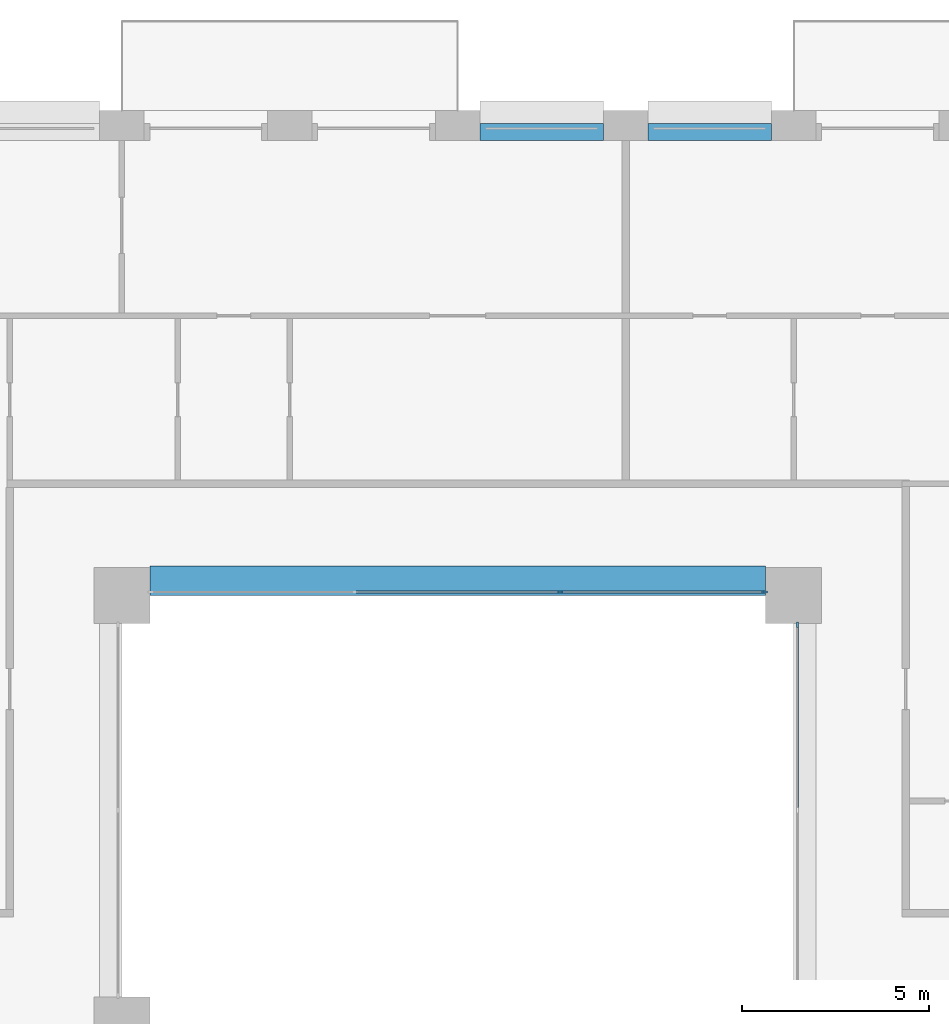
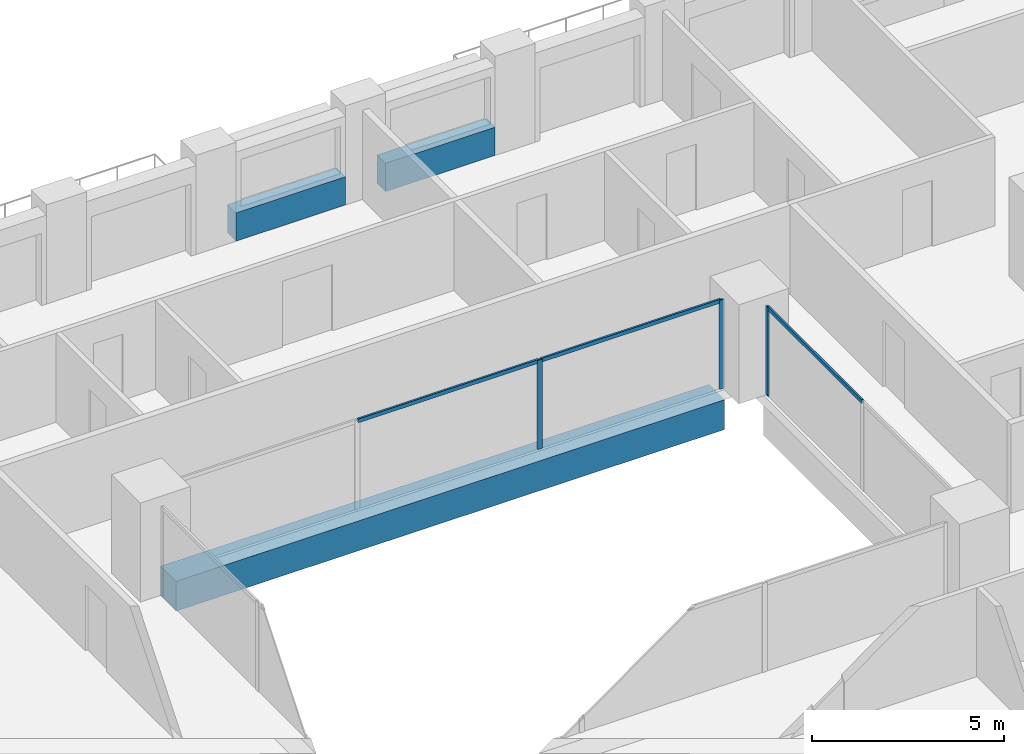
# One storey, part 7 of 19: 6 members, 3 beams, 2 elements without a shape of their own.
"""IFC4 building model written with IfcOpenShell, lengths in metres."""

from ifc_helpers import new_model, si_unit, direction, frame, origin, origin_2d, place, context, subcontext, project, spatial, rectangle, extrude, material, layer, layer_set, material_profile, profile_set, type_object, element, aggregate, save


model = new_model("IFC4")

# Units and contexts
model_context = context("Model", 3, precision=1e-05, world=origin(), true_north=direction((0.0, 1.0)))
body_context = subcontext(model_context, "Body", "Model", "MODEL_VIEW")
ifc_project = project(units=[si_unit("LENGTHUNIT", "METRE"), si_unit("AREAUNIT", "SQUARE_METRE"), si_unit("VOLUMEUNIT", "CUBIC_METRE"), si_unit("PLANEANGLEUNIT", "RADIAN"), si_unit("MASSUNIT", "GRAM", prefix="KILO")], contexts=[model_context])

# Site, building, storey
site_placement = place(None, origin())
site = spatial("IfcSite", under=ifc_project, at=site_placement, CompositionType="ELEMENT")
building_placement = place(site_placement, origin())
building = spatial("IfcBuilding", under=site, at=building_placement, Name="Brigalow Station Residences", CompositionType="ELEMENT")
storey_placement = place(building_placement, frame((0.0, 0.0, 35.25)))
storey = spatial("IfcBuildingStorey", under=building, at=storey_placement, Name="L09", CompositionType="ELEMENT", Elevation=35.25)

# Beam
ifc_material_1 = material(Name="Concrete C65", Category="concrete")
ifc_material_profile_1 = material_profile(ifc_material_1, rectangle(XDim=0.800048828125, YDim=0.949951171875, at=origin_2d()), Name="RC800x950")
ifc_profile_set_1 = profile_set([ifc_material_profile_1], Name="Concrete C65")
beam_type_1 = type_object("IfcBeamType", Name="ATRIUM EDGE GIRDER OVER 13.5 M SPAN 800x950 C65", PredefinedType="BEAM", material=ifc_profile_set_1)
beam_placement = place(storey_placement, frame((27.75, 35.89990234375, -0.794921875), z_axis=(1.0, 0.0, 0.0), x_axis=(0.0, 1.0, 0.0)))
element("IfcBeam", 1, at=beam_placement, inside=storey, type_object=beam_type_1, Name="ATRIUM EDGE GIRDER D L09", PredefinedType="BEAM", context=body_context, shape_type="SweptSolid", body=[
    extrude(rectangle(XDim=0.800048828125, YDim=0.949951171875, at=origin_2d()), origin(), (0.0, 0.0, 1.0), 16.5),
])

# Curtain wall, member
ifc_material_2 = material(Name="Aluminium", Category="aluminium")
ifc_layer = layer(ifc_material_2, 0.14990234375)
ifc_layer_set = layer_set([ifc_layer], Name="ATRIUM FIRE-RATED GLAZING CURTAIN WALL")
curtain_wall_type = type_object("IfcCurtainWallType", Name="ATRIUM FIRE-RATED GLAZING CURTAIN WALL", PredefinedType="NOTDEFINED", material=ifc_layer_set)
curtain_wall_1_placement = place(storey_placement, origin())
curtain_wall_1 = element("IfcCurtainWall", 2, at=curtain_wall_1_placement, inside=storey, type_object=curtain_wall_type, Name="L09/cw/atrium-E", PredefinedType="NOTDEFINED")
ifc_material_3 = material(Name="Aluminium", Category="aluminium")
ifc_material_profile_2 = material_profile(ifc_material_3, rectangle(XDim=0.06005859375, YDim=0.14990234375, at=origin_2d()), Name="ATRIUM FIRE-RATED GLAZING MULLION 60x150")
ifc_profile_set_2 = profile_set([ifc_material_profile_2], Name="Aluminium")
member_type_1 = type_object("IfcMemberType", Name="ATRIUM FIRE-RATED GLAZING MULLION 60x150", PredefinedType="MULLION", material=ifc_profile_set_2)
member_1_placement = place(storey_placement, frame((45.10009765625, 34.719970703125, 0.0), z_axis=(0.0, 0.0, 1.0), x_axis=(-1.0, 0.0, 0.0)))
member_1 = element("IfcMember", 3, at=member_1_placement, type_object=member_type_1, Name="L09/cw/atrium-E/M02", PredefinedType="MULLION", context=body_context, shape_type="SweptSolid", body=[
    extrude(rectangle(XDim=0.06005859375, YDim=0.14990234375, at=origin_2d()), origin(), (0.0, 0.0, 1.0), 2.830078125),
])

# Curtain wall, members
curtain_wall_2_placement = place(storey_placement, origin())
curtain_wall_2 = element("IfcCurtainWall", 4, at=curtain_wall_2_placement, inside=storey, type_object=curtain_wall_type, Name="L09/cw/atrium-N", PredefinedType="NOTDEFINED")
member_2_placement = place(storey_placement, frame((44.219970703125, 35.60009765625, 0.0), z_axis=(0.0, 0.0, 1.0), x_axis=(0.0, -1.0, 0.0)))
member_2 = element("IfcMember", 5, at=member_2_placement, type_object=member_type_1, Name="L09/cw/atrium-N/M00", PredefinedType="MULLION", context=body_context, shape_type="SweptSolid", body=[
    extrude(rectangle(XDim=0.06005859375, YDim=0.14990234375, at=origin_2d()), origin(), (0.0, 0.0, 1.0), 2.830078125),
])
member_3_placement = place(storey_placement, frame((38.75, 35.60009765625, 0.0), z_axis=(0.0, 0.0, 1.0), x_axis=(0.0, -1.0, 0.0)))
member_3 = element("IfcMember", 6, at=member_3_placement, type_object=member_type_1, Name="L09/cw/atrium-N/M01", PredefinedType="MULLION", context=body_context, shape_type="SweptSolid", body=[
    extrude(rectangle(XDim=0.06005859375, YDim=0.14990234375, at=origin_2d()), origin(), (0.0, 0.0, 1.0), 2.830078125),
])

# Member
ifc_material_4 = material(Name="Aluminium", Category="aluminium")
ifc_material_profile_3 = material_profile(ifc_material_4, rectangle(XDim=0.06005859375, YDim=0.1201171875, at=origin_2d()), Name="ATRIUM FIRE-RATED GLAZING TRANSOM 60x120")
ifc_profile_set_3 = profile_set([ifc_material_profile_3], Name="Aluminium")
member_type_2 = type_object("IfcMemberType", Name="ATRIUM FIRE-RATED GLAZING TRANSOM 60x120", PredefinedType="USERDEFINED", material=ifc_profile_set_3)
member_4_placement = place(storey_placement, frame((45.10009765625, 29.780029296875, 2.800048828125), z_axis=(0.0, 1.0, 0.0), x_axis=(-1.0, 0.0, 0.0)))
member_4 = element("IfcMember", 7, at=member_4_placement, type_object=member_type_2, Name="L09/cw/atrium-E/T01-00", ObjectType="TRANSOM", PredefinedType="USERDEFINED", context=body_context, shape_type="SweptSolid", body=[
    extrude(rectangle(XDim=0.06005859375, YDim=0.1201171875, at=origin_2d()), origin(), (0.0, 0.0, 1.0), 4.909912109375),
])

aggregate(curtain_wall_1, [member_1, member_4])

member_5_placement = place(storey_placement, frame((44.18994140625, 35.60009765625, 2.800048828125), z_axis=(-1.0, 0.0, 0.0), x_axis=(0.0, -1.0, 0.0)))
member_5 = element("IfcMember", 8, at=member_5_placement, type_object=member_type_2, Name="L09/cw/atrium-N/T00-00", ObjectType="TRANSOM", PredefinedType="USERDEFINED", context=body_context, shape_type="SweptSolid", body=[
    extrude(rectangle(XDim=0.06005859375, YDim=0.1201171875, at=origin_2d()), origin(), (0.0, 0.0, 1.0), 5.409912109375),
])

member_6_placement = place(storey_placement, frame((38.719970703125, 35.60009765625, 2.800048828125), z_axis=(-1.0, 0.0, 0.0), x_axis=(0.0, -1.0, 0.0)))
member_6 = element("IfcMember", 9, at=member_6_placement, type_object=member_type_2, Name="L09/cw/atrium-N/T01-00", ObjectType="TRANSOM", PredefinedType="USERDEFINED", context=body_context, shape_type="SweptSolid", body=[
    extrude(rectangle(XDim=0.06005859375, YDim=0.1201171875, at=origin_2d()), origin(), (0.0, 0.0, 1.0), 5.43994140625),
])

aggregate(curtain_wall_2, [member_2, member_3, member_5, member_6])

# Beams
ifc_material_5 = material(Name="Concrete C65", Category="concrete")
ifc_material_profile_4 = material_profile(ifc_material_5, rectangle(XDim=0.449951171875, YDim=0.89990234375, at=origin_2d()), Name="RC450x900")
ifc_profile_set_4 = profile_set([ifc_material_profile_4], Name="Concrete C65")
beam_type_2 = type_object("IfcBeamType", Name="SPANDREL BEAM 450x900 C65", PredefinedType="SPANDREL", material=ifc_profile_set_4)
for number, where, z_axis, x_axis, name in (
    (10, (44.39990234375, 47.925048828125, 0.449951171875), (-1.0, 0.0, 0.0), (0.0, -1.0, 0.0), "L09/spandrel/W-L09-31"),
    (11, (39.89990234375, 47.925048828125, 0.449951171875), (-1.0, 0.0, 0.0), (0.0, -1.0, 0.0), "L09/spandrel/W-L09-32"),
):
    element("IfcBeam", number, at=place(storey_placement, frame(where, z_axis=z_axis, x_axis=x_axis)), inside=storey, type_object=beam_type_2, Name=name, PredefinedType="SPANDREL", context=body_context, shape_type="SweptSolid", body=[
        extrude(rectangle(XDim=0.449951171875, YDim=0.89990234375, at=origin_2d()), origin(), (0.0, 0.0, 1.0), 3.2998046875),
    ])

save(model, "model.ifc")
